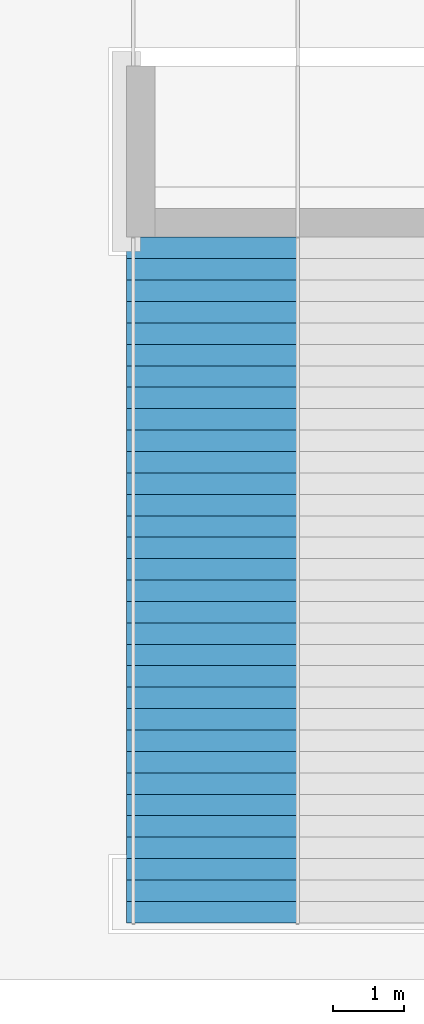
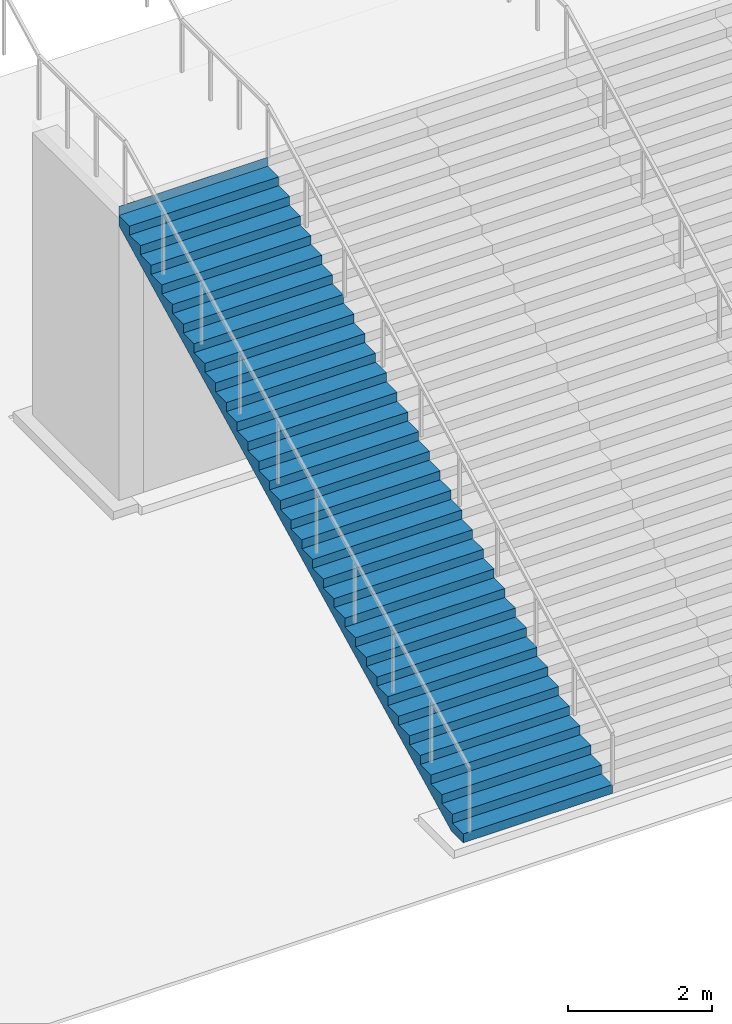
# One storey, part 30 of 57: 1 stair flight, 1 element without a shape of its own.
"""IFC4 building model written with IfcOpenShell, lengths in metres."""

from ifc_helpers import new_model, si_unit, direction, frame, origin, place, context, subcontext, project, spatial, triangles, material, type_object, element, aggregate, save


model = new_model("IFC4")

# Units and contexts
model_context = context("Model", 3, precision=1e-05, world=origin(), true_north=direction((0.0, 1.0)))
body_context = subcontext(model_context, "Body", "Model", "MODEL_VIEW")
ifc_project = project(units=[si_unit("LENGTHUNIT", "METRE"), si_unit("AREAUNIT", "SQUARE_METRE"), si_unit("VOLUMEUNIT", "CUBIC_METRE"), si_unit("PLANEANGLEUNIT", "RADIAN"), si_unit("MASSUNIT", "GRAM", prefix="KILO")], contexts=[model_context])

# Site, building, storey
site_placement = place(None, origin())
site = spatial("IfcSite", under=ifc_project, at=site_placement, CompositionType="ELEMENT")
building_placement = place(site_placement, origin())
building = spatial("IfcBuilding", under=site, at=building_placement, Name="Beryl Residences", CompositionType="ELEMENT")
storey_placement = place(building_placement, origin())
storey = spatial("IfcBuildingStorey", under=building, at=storey_placement, Name="L00", CompositionType="ELEMENT", Elevation=0.0)

# Stair, stair flight
ifc_material_1 = material(Name="Precast concrete C40/50", Category="concrete")
stair_type = type_object("IfcStairType", Name="GS1 garden stair", PredefinedType="STRAIGHT_RUN_STAIR", material=ifc_material_1)
stair_placement = place(storey_placement, origin())
stair = element("IfcStair", 1, at=stair_placement, inside=storey, type_object=stair_type, Name="GS1 garden stair", PredefinedType="STRAIGHT_RUN_STAIR")
ifc_material_2 = material(Name="Precast concrete C40/50", Category="concrete")
stair_flight_type = type_object("IfcStairFlightType", Name="GF1 garden stair flight", PredefinedType="STRAIGHT", material=ifc_material_2)
stair_flight_placement = place(storey_placement, frame((-10.800048828125, -54.199951171875, 0.0), z_axis=(0.0, 0.0, 1.0), x_axis=(0.0, 1.0, 0.0)))
stair_flight = element("IfcStairFlight", 2, at=stair_flight_placement, type_object=stair_flight_type, Name="GS1 flight 1", NumberOfRisers=33, NumberOfTreads=32, PredefinedType="STRAIGHT", RiserHeight=0.151515152, TreadLength=0.3, context=body_context, shape_type="Tessellation", body=[
    triangles([(0.0, -1.199951171875, 0.0), (0.0, -0.60009765625, 0.0), (0.0, 0.0, 0.0), (0.0, 0.60009765625, 0.0), (0.0, 1.199951171875, 0.0), (0.0, -1.199951171875, 0.151611328125), (0.0, -0.60009765625, 0.151611328125), (0.0, 0.0, 0.151611328125), (0.0, 0.60009765625, 0.151611328125), (0.0, 1.199951171875, 0.151611328125), (0.300048828125, -1.199951171875, 0.151611328125), (0.300048828125, -0.60009765625, 0.151611328125), (0.300048828125, 0.0, 0.151611328125), (0.300048828125, 0.60009765625, 0.151611328125), (0.300048828125, 1.199951171875, 0.151611328125), (0.300048828125, -1.199951171875, 0.302978515625), (0.300048828125, -0.60009765625, 0.302978515625), (0.300048828125, 0.0, 0.302978515625), (0.300048828125, 0.60009765625, 0.302978515625), (0.300048828125, 1.199951171875, 0.302978515625), (0.60009765625, -1.199951171875, 0.302978515625), (0.60009765625, -0.60009765625, 0.302978515625), (0.60009765625, 0.0, 0.302978515625), (0.60009765625, 0.60009765625, 0.302978515625), (0.60009765625, 1.199951171875, 0.302978515625), (0.60009765625, -1.199951171875, 0.45458984375), (0.60009765625, -0.60009765625, 0.45458984375), (0.60009765625, 0.0, 0.45458984375), (0.60009765625, 0.60009765625, 0.45458984375), (0.60009765625, 1.199951171875, 0.45458984375), (0.89990234375, -1.199951171875, 0.45458984375), (0.89990234375, -0.60009765625, 0.45458984375), (0.89990234375, 0.0, 0.45458984375), (0.89990234375, 0.60009765625, 0.45458984375), (0.89990234375, 1.199951171875, 0.45458984375), (0.89990234375, -1.199951171875, 0.60595703125), (0.89990234375, -0.60009765625, 0.60595703125), (0.89990234375, 0.0, 0.60595703125), (0.89990234375, 0.60009765625, 0.60595703125), (0.89990234375, 1.199951171875, 0.60595703125), (1.199951171875, -1.199951171875, 0.60595703125), (1.199951171875, -0.60009765625, 0.60595703125), (1.199951171875, 0.0, 0.60595703125), (1.199951171875, 0.60009765625, 0.60595703125), (1.199951171875, 1.199951171875, 0.60595703125), (1.199951171875, -1.199951171875, 0.757568359375), (1.199951171875, -0.60009765625, 0.757568359375), (1.199951171875, 0.0, 0.757568359375), (1.199951171875, 0.60009765625, 0.757568359375), (1.199951171875, 1.199951171875, 0.757568359375), (1.5, -1.199951171875, 0.757568359375), (1.5, -0.60009765625, 0.757568359375), (1.5, 0.0, 0.757568359375), (1.5, 0.60009765625, 0.757568359375), (1.5, 1.199951171875, 0.757568359375), (1.5, -1.199951171875, 0.9091796875), (1.5, -0.60009765625, 0.9091796875), (1.5, 0.0, 0.9091796875), (1.5, 0.60009765625, 0.9091796875), (1.5, 1.199951171875, 0.9091796875), (1.800048828125, -1.199951171875, 0.9091796875), (1.800048828125, -0.60009765625, 0.9091796875), (1.800048828125, 0.0, 0.9091796875), (1.800048828125, 0.60009765625, 0.9091796875), (1.800048828125, 1.199951171875, 0.9091796875), (1.800048828125, -1.199951171875, 1.060546875), (1.800048828125, -0.60009765625, 1.060546875), (1.800048828125, 0.0, 1.060546875), (1.800048828125, 0.60009765625, 1.060546875), (1.800048828125, 1.199951171875, 1.060546875), (2.10009765625, -1.199951171875, 1.060546875), (2.10009765625, -0.60009765625, 1.060546875), (2.10009765625, 0.0, 1.060546875), (2.10009765625, 0.60009765625, 1.060546875), (2.10009765625, 1.199951171875, 1.060546875), (2.10009765625, -1.199951171875, 1.212158203125), (2.10009765625, -0.60009765625, 1.212158203125), (2.10009765625, 0.0, 1.212158203125), (2.10009765625, 0.60009765625, 1.212158203125), (2.10009765625, 1.199951171875, 1.212158203125), (2.39990234375, -1.199951171875, 1.212158203125), (2.39990234375, -0.60009765625, 1.212158203125), (2.39990234375, 0.0, 1.212158203125), (2.39990234375, 0.60009765625, 1.212158203125), (2.39990234375, 1.199951171875, 1.212158203125), (2.39990234375, -1.199951171875, 1.363525390625), (2.39990234375, -0.60009765625, 1.363525390625), (2.39990234375, 0.0, 1.363525390625), (2.39990234375, 0.60009765625, 1.363525390625), (2.39990234375, 1.199951171875, 1.363525390625), (2.699951171875, -1.199951171875, 1.363525390625), (2.699951171875, -0.60009765625, 1.363525390625), (2.699951171875, 0.0, 1.363525390625), (2.699951171875, 0.60009765625, 1.363525390625), (2.699951171875, 1.199951171875, 1.363525390625), (2.699951171875, -1.199951171875, 1.51513671875), (2.699951171875, -0.60009765625, 1.51513671875), (2.699951171875, 0.0, 1.51513671875), (2.699951171875, 0.60009765625, 1.51513671875), (2.699951171875, 1.199951171875, 1.51513671875), (3.0, -1.199951171875, 1.51513671875), (3.0, -0.60009765625, 1.51513671875), (3.0, 0.0, 1.51513671875), (3.0, 0.60009765625, 1.51513671875), (3.0, 1.199951171875, 1.51513671875), (3.0, -1.199951171875, 1.666748046875), (3.0, -0.60009765625, 1.666748046875), (3.0, 0.0, 1.666748046875), (3.0, 0.60009765625, 1.666748046875), (3.0, 1.199951171875, 1.666748046875), (3.300048828125, -1.199951171875, 1.666748046875), (3.300048828125, -0.60009765625, 1.666748046875), (3.300048828125, 0.0, 1.666748046875), (3.300048828125, 0.60009765625, 1.666748046875), (3.300048828125, 1.199951171875, 1.666748046875), (3.300048828125, -1.199951171875, 1.818115234375), (3.300048828125, -0.60009765625, 1.818115234375), (3.300048828125, 0.0, 1.818115234375), (3.300048828125, 0.60009765625, 1.818115234375), (3.300048828125, 1.199951171875, 1.818115234375), (3.60009765625, -1.199951171875, 1.818115234375), (3.60009765625, -0.60009765625, 1.818115234375), (3.60009765625, 0.0, 1.818115234375), (3.60009765625, 0.60009765625, 1.818115234375), (3.60009765625, 1.199951171875, 1.818115234375), (3.60009765625, -1.199951171875, 1.9697265625), (3.60009765625, -0.60009765625, 1.9697265625), (3.60009765625, 0.0, 1.9697265625), (3.60009765625, 0.60009765625, 1.9697265625), (3.60009765625, 1.199951171875, 1.9697265625), (3.89990234375, -1.199951171875, 1.9697265625), (3.89990234375, -0.60009765625, 1.9697265625), (3.89990234375, 0.0, 1.9697265625), (3.89990234375, 0.60009765625, 1.9697265625), (3.89990234375, 1.199951171875, 1.9697265625), (3.89990234375, -1.199951171875, 2.12109375), (3.89990234375, -0.60009765625, 2.12109375), (3.89990234375, 0.0, 2.12109375), (3.89990234375, 0.60009765625, 2.12109375), (3.89990234375, 1.199951171875, 2.12109375), (4.199951171875, -1.199951171875, 2.12109375), (4.199951171875, -0.60009765625, 2.12109375), (4.199951171875, 0.0, 2.12109375), (4.199951171875, 0.60009765625, 2.12109375), (4.199951171875, 1.199951171875, 2.12109375), (4.199951171875, -1.199951171875, 2.272705078125), (4.199951171875, -0.60009765625, 2.272705078125), (4.199951171875, 0.0, 2.272705078125), (4.199951171875, 0.60009765625, 2.272705078125), (4.199951171875, 1.199951171875, 2.272705078125), (4.5, -1.199951171875, 2.272705078125), (4.5, -0.60009765625, 2.272705078125), (4.5, 0.0, 2.272705078125), (4.5, 0.60009765625, 2.272705078125), (4.5, 1.199951171875, 2.272705078125), (4.5, -1.199951171875, 2.42431640625), (4.5, -0.60009765625, 2.42431640625), (4.5, 0.0, 2.42431640625), (4.5, 0.60009765625, 2.42431640625), (4.5, 1.199951171875, 2.42431640625), (4.800048828125, -1.199951171875, 2.42431640625), (4.800048828125, -0.60009765625, 2.42431640625), (4.800048828125, 0.0, 2.42431640625), (4.800048828125, 0.60009765625, 2.42431640625), (4.800048828125, 1.199951171875, 2.42431640625), (4.800048828125, -1.199951171875, 2.57568359375), (4.800048828125, -0.60009765625, 2.57568359375), (4.800048828125, 0.0, 2.57568359375), (4.800048828125, 0.60009765625, 2.57568359375), (4.800048828125, 1.199951171875, 2.57568359375), (5.10009765625, -1.199951171875, 2.57568359375), (5.10009765625, -0.60009765625, 2.57568359375), (5.10009765625, 0.0, 2.57568359375), (5.10009765625, 0.60009765625, 2.57568359375), (5.10009765625, 1.199951171875, 2.57568359375), (5.10009765625, -1.199951171875, 2.727294921875), (5.10009765625, -0.60009765625, 2.727294921875), (5.10009765625, 0.0, 2.727294921875), (5.10009765625, 0.60009765625, 2.727294921875), (5.10009765625, 1.199951171875, 2.727294921875), (5.39990234375, -1.199951171875, 2.727294921875), (5.39990234375, -0.60009765625, 2.727294921875), (5.39990234375, 0.0, 2.727294921875), (5.39990234375, 0.60009765625, 2.727294921875), (5.39990234375, 1.199951171875, 2.727294921875), (5.39990234375, -1.199951171875, 2.87890625), (5.39990234375, -0.60009765625, 2.87890625), (5.39990234375, 0.0, 2.87890625), (5.39990234375, 0.60009765625, 2.87890625), (5.39990234375, 1.199951171875, 2.87890625), (5.699951171875, -1.199951171875, 2.87890625), (5.699951171875, -0.60009765625, 2.87890625), (5.699951171875, 0.0, 2.87890625), (5.699951171875, 0.60009765625, 2.87890625), (5.699951171875, 1.199951171875, 2.87890625), (5.699951171875, -1.199951171875, 3.0302734375), (5.699951171875, -0.60009765625, 3.0302734375), (5.699951171875, 0.0, 3.0302734375), (5.699951171875, 0.60009765625, 3.0302734375), (5.699951171875, 1.199951171875, 3.0302734375), (6.0, -1.199951171875, 3.0302734375), (6.0, -0.60009765625, 3.0302734375), (6.0, 0.0, 3.0302734375), (6.0, 0.60009765625, 3.0302734375), (6.0, 1.199951171875, 3.0302734375), (6.0, -1.199951171875, 3.181884765625), (6.0, -0.60009765625, 3.181884765625), (6.0, 0.0, 3.181884765625), (6.0, 0.60009765625, 3.181884765625), (6.0, 1.199951171875, 3.181884765625), (6.300048828125, -1.199951171875, 3.181884765625), (6.300048828125, -0.60009765625, 3.181884765625), (6.300048828125, 0.0, 3.181884765625), (6.300048828125, 0.60009765625, 3.181884765625), (6.300048828125, 1.199951171875, 3.181884765625), (6.300048828125, -1.199951171875, 3.333251953125), (6.300048828125, -0.60009765625, 3.333251953125), (6.300048828125, 0.0, 3.333251953125), (6.300048828125, 0.60009765625, 3.333251953125), (6.300048828125, 1.199951171875, 3.333251953125), (6.60009765625, -1.199951171875, 3.333251953125), (6.60009765625, -0.60009765625, 3.333251953125), (6.60009765625, 0.0, 3.333251953125), (6.60009765625, 0.60009765625, 3.333251953125), (6.60009765625, 1.199951171875, 3.333251953125), (6.60009765625, -1.199951171875, 3.48486328125), (6.60009765625, -0.60009765625, 3.48486328125), (6.60009765625, 0.0, 3.48486328125), (6.60009765625, 0.60009765625, 3.48486328125), (6.60009765625, 1.199951171875, 3.48486328125), (6.89990234375, -1.199951171875, 3.48486328125), (6.89990234375, -0.60009765625, 3.48486328125), (6.89990234375, 0.0, 3.48486328125), (6.89990234375, 0.60009765625, 3.48486328125), (6.89990234375, 1.199951171875, 3.48486328125), (6.89990234375, -1.199951171875, 3.636474609375), (6.89990234375, -0.60009765625, 3.636474609375), (6.89990234375, 0.0, 3.636474609375), (6.89990234375, 0.60009765625, 3.636474609375), (6.89990234375, 1.199951171875, 3.636474609375), (7.199951171875, -1.199951171875, 3.636474609375), (7.199951171875, -0.60009765625, 3.636474609375), (7.199951171875, 0.0, 3.636474609375), (7.199951171875, 0.60009765625, 3.636474609375), (7.199951171875, 1.199951171875, 3.636474609375), (7.199951171875, -1.199951171875, 3.787841796875), (7.199951171875, -0.60009765625, 3.787841796875), (7.199951171875, 0.0, 3.787841796875), (7.199951171875, 0.60009765625, 3.787841796875), (7.199951171875, 1.199951171875, 3.787841796875), (7.5, -1.199951171875, 3.787841796875), (7.5, -0.60009765625, 3.787841796875), (7.5, 0.0, 3.787841796875), (7.5, 0.60009765625, 3.787841796875), (7.5, 1.199951171875, 3.787841796875), (7.5, -1.199951171875, 3.939453125), (7.5, -0.60009765625, 3.939453125), (7.5, 0.0, 3.939453125), (7.5, 0.60009765625, 3.939453125), (7.5, 1.199951171875, 3.939453125), (7.800048828125, -1.199951171875, 3.939453125), (7.800048828125, -0.60009765625, 3.939453125), (7.800048828125, 0.0, 3.939453125), (7.800048828125, 0.60009765625, 3.939453125), (7.800048828125, 1.199951171875, 3.939453125), (7.800048828125, -1.199951171875, 4.0908203125), (7.800048828125, -0.60009765625, 4.0908203125), (7.800048828125, 0.0, 4.0908203125), (7.800048828125, 0.60009765625, 4.0908203125), (7.800048828125, 1.199951171875, 4.0908203125), (8.10009765625, -1.199951171875, 4.0908203125), (8.10009765625, -0.60009765625, 4.0908203125), (8.10009765625, 0.0, 4.0908203125), (8.10009765625, 0.60009765625, 4.0908203125), (8.10009765625, 1.199951171875, 4.0908203125), (8.10009765625, -1.199951171875, 4.242431640625), (8.10009765625, -0.60009765625, 4.242431640625), (8.10009765625, 0.0, 4.242431640625), (8.10009765625, 0.60009765625, 4.242431640625), (8.10009765625, 1.199951171875, 4.242431640625), (8.39990234375, -1.199951171875, 4.242431640625), (8.39990234375, -0.60009765625, 4.242431640625), (8.39990234375, 0.0, 4.242431640625), (8.39990234375, 0.60009765625, 4.242431640625), (8.39990234375, 1.199951171875, 4.242431640625), (8.39990234375, -1.199951171875, 4.39404296875), (8.39990234375, -0.60009765625, 4.39404296875), (8.39990234375, 0.0, 4.39404296875), (8.39990234375, 0.60009765625, 4.39404296875), (8.39990234375, 1.199951171875, 4.39404296875), (8.699951171875, -1.199951171875, 4.39404296875), (8.699951171875, -0.60009765625, 4.39404296875), (8.699951171875, 0.0, 4.39404296875), (8.699951171875, 0.60009765625, 4.39404296875), (8.699951171875, 1.199951171875, 4.39404296875), (8.699951171875, -1.199951171875, 4.54541015625), (8.699951171875, -0.60009765625, 4.54541015625), (8.699951171875, 0.0, 4.54541015625), (8.699951171875, 0.60009765625, 4.54541015625), (8.699951171875, 1.199951171875, 4.54541015625), (9.0, -1.199951171875, 4.54541015625), (9.0, -0.60009765625, 4.54541015625), (9.0, 0.0, 4.54541015625), (9.0, 0.60009765625, 4.54541015625), (9.0, 1.199951171875, 4.54541015625), (9.0, -1.199951171875, 4.697021484375), (9.0, -0.60009765625, 4.697021484375), (9.0, 0.0, 4.697021484375), (9.0, 0.60009765625, 4.697021484375), (9.0, 1.199951171875, 4.697021484375), (9.300048828125, -1.199951171875, 4.697021484375), (9.300048828125, -0.60009765625, 4.697021484375), (9.300048828125, 0.0, 4.697021484375), (9.300048828125, 0.60009765625, 4.697021484375), (9.300048828125, 1.199951171875, 4.697021484375), (9.300048828125, -1.199951171875, 4.848388671875), (9.300048828125, -0.60009765625, 4.848388671875), (9.300048828125, 0.0, 4.848388671875), (9.300048828125, 0.60009765625, 4.848388671875), (9.300048828125, 1.199951171875, 4.848388671875), (9.60009765625, -1.199951171875, 4.848388671875), (9.60009765625, -0.60009765625, 4.848388671875), (9.60009765625, 0.0, 4.848388671875), (9.60009765625, 0.60009765625, 4.848388671875), (9.60009765625, 1.199951171875, 4.848388671875), (9.60009765625, -1.199951171875, 5.0), (9.60009765625, -0.60009765625, 5.0), (9.60009765625, 0.0, 5.0), (9.60009765625, 0.60009765625, 5.0), (9.60009765625, 1.199951171875, 5.0), (9.60107421875, -1.199951171875, 5.0), (9.60107421875, -0.60009765625, 5.0), (9.60107421875, 0.0, 5.0), (9.60107421875, 0.60009765625, 5.0), (9.60107421875, 1.199951171875, 5.0), (9.60107421875, -1.199951171875, 4.6806640625), (9.60107421875, -0.60009765625, 4.6806640625), (9.60107421875, 0.0, 4.6806640625), (9.60107421875, 0.60009765625, 4.6806640625), (9.60107421875, 1.199951171875, 4.6806640625), (0.33349609375, -1.199951171875, 0.0), (0.33349609375, -0.60009765625, 0.0), (0.33349609375, 0.0, 0.0), (0.33349609375, 0.60009765625, 0.0), (0.33349609375, 1.199951171875, 0.0)], [[1, 6, 7], [1, 7, 2], [2, 7, 8], [2, 8, 3], [3, 8, 9], [3, 9, 4], [4, 9, 10], [4, 10, 5], [6, 11, 12], [6, 12, 7], [7, 12, 13], [7, 13, 8], [8, 13, 14], [8, 14, 9], [9, 14, 15], [9, 15, 10], [11, 16, 17], [11, 17, 12], [12, 17, 18], [12, 18, 13], [13, 18, 19], [13, 19, 14], [14, 19, 20], [14, 20, 15], [16, 21, 22], [16, 22, 17], [17, 22, 23], [17, 23, 18], [18, 23, 24], [18, 24, 19], [19, 24, 25], [19, 25, 20], [21, 26, 27], [21, 27, 22], [22, 27, 28], [22, 28, 23], [23, 28, 29], [23, 29, 24], [24, 29, 30], [24, 30, 25], [26, 31, 32], [26, 32, 27], [27, 32, 33], [27, 33, 28], [28, 33, 34], [28, 34, 29], [29, 34, 35], [29, 35, 30], [31, 36, 37], [31, 37, 32], [32, 37, 38], [32, 38, 33], [33, 38, 39], [33, 39, 34], [34, 39, 40], [34, 40, 35], [36, 41, 42], [36, 42, 37], [37, 42, 43], [37, 43, 38], [38, 43, 44], [38, 44, 39], [39, 44, 45], [39, 45, 40], [41, 46, 47], [41, 47, 42], [42, 47, 48], [42, 48, 43], [43, 48, 49], [43, 49, 44], [44, 49, 50], [44, 50, 45], [46, 51, 52], [46, 52, 47], [47, 52, 53], [47, 53, 48], [48, 53, 54], [48, 54, 49], [49, 54, 55], [49, 55, 50], [51, 56, 57], [51, 57, 52], [52, 57, 58], [52, 58, 53], [53, 58, 59], [53, 59, 54], [54, 59, 60], [54, 60, 55], [56, 61, 62], [56, 62, 57], [57, 62, 63], [57, 63, 58], [58, 63, 64], [58, 64, 59], [59, 64, 65], [59, 65, 60], [61, 66, 67], [61, 67, 62], [62, 67, 68], [62, 68, 63], [63, 68, 69], [63, 69, 64], [64, 69, 70], [64, 70, 65], [66, 71, 72], [66, 72, 67], [67, 72, 73], [67, 73, 68], [68, 73, 74], [68, 74, 69], [69, 74, 75], [69, 75, 70], [71, 76, 77], [71, 77, 72], [72, 77, 78], [72, 78, 73], [73, 78, 79], [73, 79, 74], [74, 79, 80], [74, 80, 75], [76, 81, 82], [76, 82, 77], [77, 82, 83], [77, 83, 78], [78, 83, 84], [78, 84, 79], [79, 84, 85], [79, 85, 80], [81, 86, 87], [81, 87, 82], [82, 87, 88], [82, 88, 83], [83, 88, 89], [83, 89, 84], [84, 89, 90], [84, 90, 85], [86, 91, 92], [86, 92, 87], [87, 92, 93], [87, 93, 88], [88, 93, 94], [88, 94, 89], [89, 94, 95], [89, 95, 90], [91, 96, 97], [91, 97, 92], [92, 97, 98], [92, 98, 93], [93, 98, 99], [93, 99, 94], [94, 99, 100], [94, 100, 95], [96, 101, 102], [96, 102, 97], [97, 102, 103], [97, 103, 98], [98, 103, 104], [98, 104, 99], [99, 104, 105], [99, 105, 100], [101, 106, 107], [101, 107, 102], [102, 107, 108], [102, 108, 103], [103, 108, 109], [103, 109, 104], [104, 109, 110], [104, 110, 105], [106, 111, 112], [106, 112, 107], [107, 112, 113], [107, 113, 108], [108, 113, 114], [108, 114, 109], [109, 114, 115], [109, 115, 110], [111, 116, 117], [111, 117, 112], [112, 117, 118], [112, 118, 113], [113, 118, 119], [113, 119, 114], [114, 119, 120], [114, 120, 115], [116, 121, 122], [116, 122, 117], [117, 122, 123], [117, 123, 118], [118, 123, 124], [118, 124, 119], [119, 124, 125], [119, 125, 120], [121, 126, 127], [121, 127, 122], [122, 127, 128], [122, 128, 123], [123, 128, 129], [123, 129, 124], [124, 129, 130], [124, 130, 125], [126, 131, 132], [126, 132, 127], [127, 132, 133], [127, 133, 128], [128, 133, 134], [128, 134, 129], [129, 134, 135], [129, 135, 130], [131, 136, 137], [131, 137, 132], [132, 137, 138], [132, 138, 133], [133, 138, 139], [133, 139, 134], [134, 139, 140], [134, 140, 135], [136, 141, 142], [136, 142, 137], [137, 142, 143], [137, 143, 138], [138, 143, 144], [138, 144, 139], [139, 144, 145], [139, 145, 140], [141, 146, 147], [141, 147, 142], [142, 147, 148], [142, 148, 143], [143, 148, 149], [143, 149, 144], [144, 149, 150], [144, 150, 145], [146, 151, 152], [146, 152, 147], [147, 152, 153], [147, 153, 148], [148, 153, 154], [148, 154, 149], [149, 154, 155], [149, 155, 150], [151, 156, 157], [151, 157, 152], [152, 157, 158], [152, 158, 153], [153, 158, 159], [153, 159, 154], [154, 159, 160], [154, 160, 155], [156, 161, 162], [156, 162, 157], [157, 162, 163], [157, 163, 158], [158, 163, 164], [158, 164, 159], [159, 164, 165], [159, 165, 160], [161, 166, 167], [161, 167, 162], [162, 167, 168], [162, 168, 163], [163, 168, 169], [163, 169, 164], [164, 169, 170], [164, 170, 165], [166, 171, 172], [166, 172, 167], [167, 172, 173], [167, 173, 168], [168, 173, 174], [168, 174, 169], [169, 174, 175], [169, 175, 170], [171, 176, 177], [171, 177, 172], [172, 177, 178], [172, 178, 173], [173, 178, 179], [173, 179, 174], [174, 179, 180], [174, 180, 175], [176, 181, 182], [176, 182, 177], [177, 182, 183], [177, 183, 178], [178, 183, 184], [178, 184, 179], [179, 184, 185], [179, 185, 180], [181, 186, 187], [181, 187, 182], [182, 187, 188], [182, 188, 183], [183, 188, 189], [183, 189, 184], [184, 189, 190], [184, 190, 185], [186, 191, 192], [186, 192, 187], [187, 192, 193], [187, 193, 188], [188, 193, 194], [188, 194, 189], [189, 194, 195], [189, 195, 190], [191, 196, 197], [191, 197, 192], [192, 197, 198], [192, 198, 193], [193, 198, 199], [193, 199, 194], [194, 199, 200], [194, 200, 195], [196, 201, 202], [196, 202, 197], [197, 202, 203], [197, 203, 198], [198, 203, 204], [198, 204, 199], [199, 204, 205], [199, 205, 200], [201, 206, 207], [201, 207, 202], [202, 207, 208], [202, 208, 203], [203, 208, 209], [203, 209, 204], [204, 209, 210], [204, 210, 205], [206, 211, 212], [206, 212, 207], [207, 212, 213], [207, 213, 208], [208, 213, 214], [208, 214, 209], [209, 214, 215], [209, 215, 210], [211, 216, 217], [211, 217, 212], [212, 217, 218], [212, 218, 213], [213, 218, 219], [213, 219, 214], [214, 219, 220], [214, 220, 215], [216, 221, 222], [216, 222, 217], [217, 222, 223], [217, 223, 218], [218, 223, 224], [218, 224, 219], [219, 224, 225], [219, 225, 220], [221, 226, 227], [221, 227, 222], [222, 227, 228], [222, 228, 223], [223, 228, 229], [223, 229, 224], [224, 229, 230], [224, 230, 225], [226, 231, 232], [226, 232, 227], [227, 232, 233], [227, 233, 228], [228, 233, 234], [228, 234, 229], [229, 234, 235], [229, 235, 230], [231, 236, 237], [231, 237, 232], [232, 237, 238], [232, 238, 233], [233, 238, 239], [233, 239, 234], [234, 239, 240], [234, 240, 235], [236, 241, 242], [236, 242, 237], [237, 242, 243], [237, 243, 238], [238, 243, 244], [238, 244, 239], [239, 244, 245], [239, 245, 240], [241, 246, 247], [241, 247, 242], [242, 247, 248], [242, 248, 243], [243, 248, 249], [243, 249, 244], [244, 249, 250], [244, 250, 245], [246, 251, 252], [246, 252, 247], [247, 252, 253], [247, 253, 248], [248, 253, 254], [248, 254, 249], [249, 254, 255], [249, 255, 250], [251, 256, 257], [251, 257, 252], [252, 257, 258], [252, 258, 253], [253, 258, 259], [253, 259, 254], [254, 259, 260], [254, 260, 255], [256, 261, 262], [256, 262, 257], [257, 262, 263], [257, 263, 258], [258, 263, 264], [258, 264, 259], [259, 264, 265], [259, 265, 260], [261, 266, 267], [261, 267, 262], [262, 267, 268], [262, 268, 263], [263, 268, 269], [263, 269, 264], [264, 269, 270], [264, 270, 265], [266, 271, 272], [266, 272, 267], [267, 272, 273], [267, 273, 268], [268, 273, 274], [268, 274, 269], [269, 274, 275], [269, 275, 270], [271, 276, 277], [271, 277, 272], [272, 277, 278], [272, 278, 273], [273, 278, 279], [273, 279, 274], [274, 279, 280], [274, 280, 275], [276, 281, 282], [276, 282, 277], [277, 282, 283], [277, 283, 278], [278, 283, 284], [278, 284, 279], [279, 284, 285], [279, 285, 280], [281, 286, 287], [281, 287, 282], [282, 287, 288], [282, 288, 283], [283, 288, 289], [283, 289, 284], [284, 289, 290], [284, 290, 285], [286, 291, 292], [286, 292, 287], [287, 292, 293], [287, 293, 288], [288, 293, 294], [288, 294, 289], [289, 294, 295], [289, 295, 290], [291, 296, 297], [291, 297, 292], [292, 297, 298], [292, 298, 293], [293, 298, 299], [293, 299, 294], [294, 299, 300], [294, 300, 295], [296, 301, 302], [296, 302, 297], [297, 302, 303], [297, 303, 298], [298, 303, 304], [298, 304, 299], [299, 304, 305], [299, 305, 300], [301, 306, 307], [301, 307, 302], [302, 307, 308], [302, 308, 303], [303, 308, 309], [303, 309, 304], [304, 309, 310], [304, 310, 305], [306, 311, 312], [306, 312, 307], [307, 312, 313], [307, 313, 308], [308, 313, 314], [308, 314, 309], [309, 314, 315], [309, 315, 310], [311, 316, 317], [311, 317, 312], [312, 317, 318], [312, 318, 313], [313, 318, 319], [313, 319, 314], [314, 319, 320], [314, 320, 315], [316, 321, 322], [316, 322, 317], [317, 322, 323], [317, 323, 318], [318, 323, 324], [318, 324, 319], [319, 324, 325], [319, 325, 320], [321, 326, 327], [321, 327, 322], [322, 327, 328], [322, 328, 323], [323, 328, 329], [323, 329, 324], [324, 329, 330], [324, 330, 325], [326, 331, 332], [326, 332, 327], [327, 332, 333], [327, 333, 328], [328, 333, 334], [328, 334, 329], [329, 334, 335], [329, 335, 330], [331, 336, 337], [331, 337, 332], [332, 337, 338], [332, 338, 333], [333, 338, 339], [333, 339, 334], [334, 339, 340], [334, 340, 335], [336, 341, 342], [336, 342, 337], [337, 342, 343], [337, 343, 338], [338, 343, 344], [338, 344, 339], [339, 344, 345], [339, 345, 340], [341, 1, 2], [341, 2, 342], [342, 2, 3], [342, 3, 343], [343, 3, 4], [343, 4, 344], [344, 4, 5], [344, 5, 345], [1, 341, 336], [5, 340, 345], [336, 331, 326], [340, 330, 335], [336, 326, 321], [340, 325, 330], [336, 321, 316], [340, 320, 325], [336, 316, 311], [340, 315, 320], [336, 311, 306], [340, 310, 315], [336, 306, 301], [340, 305, 310], [301, 296, 291], [305, 295, 300], [336, 301, 291], [340, 295, 305], [291, 286, 281], [295, 285, 290], [336, 291, 281], [340, 285, 295], [281, 276, 271], [285, 275, 280], [336, 281, 271], [340, 275, 285], [271, 266, 261], [275, 265, 270], [336, 271, 261], [340, 265, 275], [261, 256, 251], [265, 255, 260], [336, 261, 251], [340, 255, 265], [251, 246, 241], [255, 245, 250], [336, 251, 241], [340, 245, 255], [241, 236, 231], [245, 235, 240], [336, 241, 231], [340, 235, 245], [231, 226, 221], [235, 225, 230], [336, 231, 221], [340, 225, 235], [221, 216, 211], [225, 215, 220], [336, 221, 211], [340, 215, 225], [211, 206, 201], [215, 205, 210], [336, 211, 201], [340, 205, 215], [201, 196, 191], [205, 195, 200], [336, 201, 191], [340, 195, 205], [191, 186, 181], [195, 185, 190], [336, 191, 181], [340, 185, 195], [181, 176, 171], [185, 175, 180], [336, 181, 171], [340, 175, 185], [171, 166, 161], [175, 165, 170], [336, 171, 161], [340, 165, 175], [161, 156, 151], [165, 155, 160], [336, 161, 151], [340, 155, 165], [151, 146, 141], [155, 145, 150], [336, 151, 141], [340, 145, 155], [141, 136, 131], [145, 135, 140], [336, 141, 131], [340, 135, 145], [131, 126, 121], [135, 125, 130], [336, 131, 121], [340, 125, 135], [121, 116, 111], [125, 115, 120], [336, 121, 111], [340, 115, 125], [111, 106, 101], [115, 105, 110], [336, 111, 101], [340, 105, 115], [101, 96, 91], [105, 95, 100], [336, 101, 91], [340, 95, 105], [91, 86, 81], [95, 85, 90], [336, 91, 81], [340, 85, 95], [81, 76, 71], [85, 75, 80], [336, 81, 71], [340, 75, 85], [71, 66, 61], [75, 65, 70], [336, 71, 61], [340, 65, 75], [61, 56, 51], [65, 55, 60], [336, 61, 51], [340, 55, 65], [51, 46, 41], [55, 45, 50], [336, 51, 41], [340, 45, 55], [41, 36, 31], [45, 35, 40], [336, 41, 31], [340, 35, 45], [31, 26, 21], [35, 25, 30], [336, 31, 21], [340, 25, 35], [1, 336, 21], [5, 25, 340], [21, 16, 11], [25, 15, 20], [1, 21, 11], [5, 15, 25], [11, 6, 1], [15, 5, 10]], closed=True),
])
aggregate(stair, [stair_flight])

save(model, "model.ifc")
